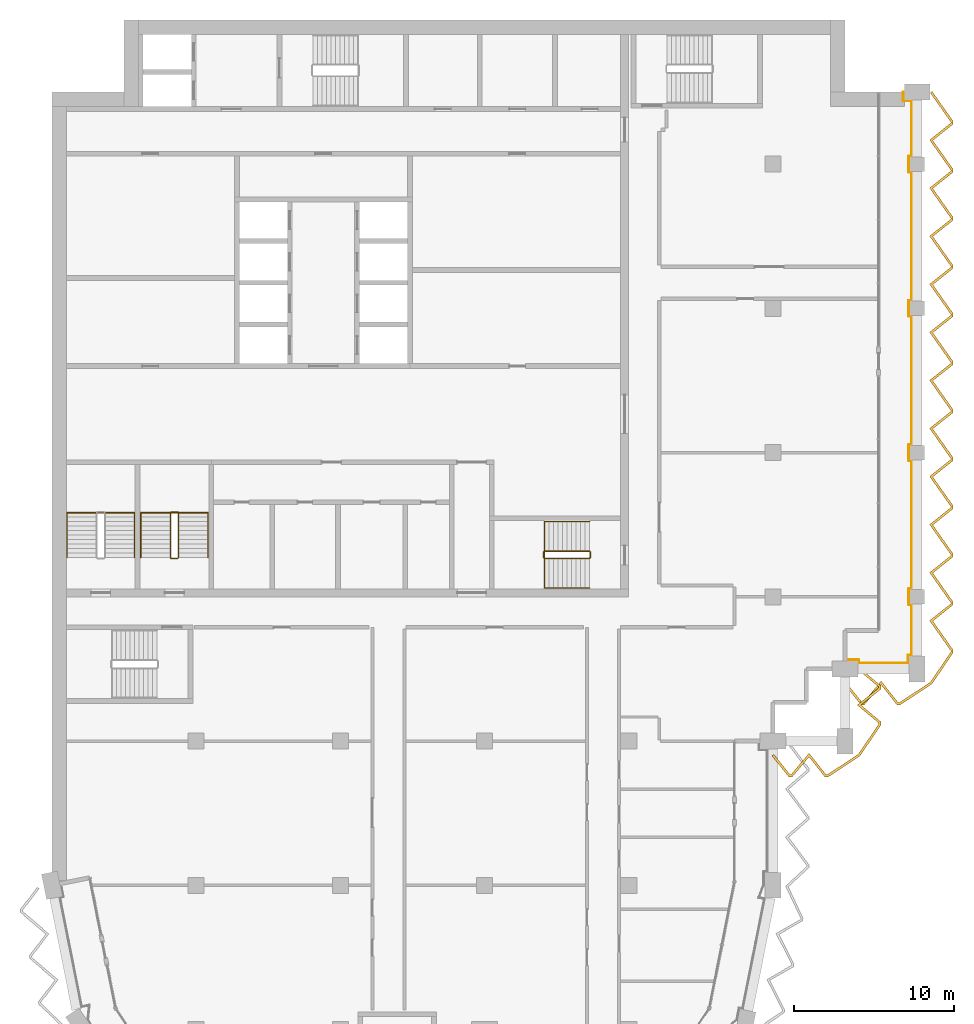
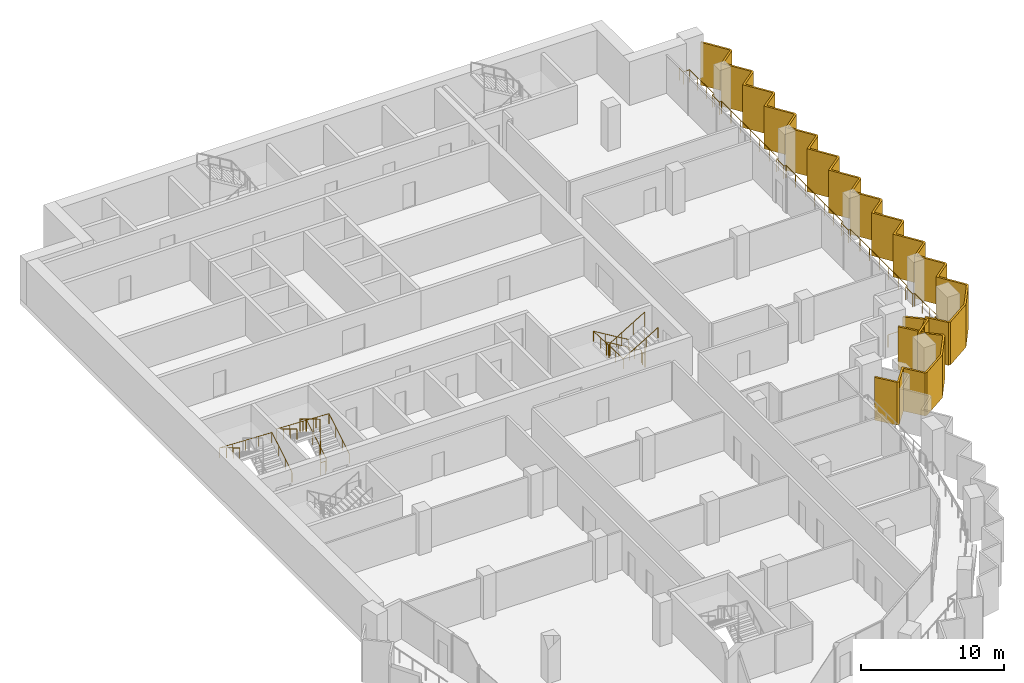
# One storey, part 15 of 16: 6 railings, 2 shading devices.
"""IFC4 building model written with IfcOpenShell, lengths in metres."""

from ifc_helpers import new_model, si_unit, direction, frame, origin, origin_2d, place, context, subcontext, project, spatial, polyline, circle, outline, extrude, material, layer, layer_set, type_object, element, save


model = new_model("IFC4")

# Units and contexts
model_context = context("Model", 3, precision=1e-05, world=origin(), true_north=direction((0.0, 1.0)))
body_context = subcontext(model_context, "Body", "Model", "MODEL_VIEW")
ifc_project = project(units=[si_unit("LENGTHUNIT", "METRE"), si_unit("AREAUNIT", "SQUARE_METRE"), si_unit("VOLUMEUNIT", "CUBIC_METRE"), si_unit("PLANEANGLEUNIT", "RADIAN"), si_unit("MASSUNIT", "GRAM", prefix="KILO")], contexts=[model_context])

# Site, building, storey
site_placement = place(None, origin())
site = spatial("IfcSite", under=ifc_project, at=site_placement, CompositionType="ELEMENT")
building_placement = place(site_placement, origin())
building = spatial("IfcBuilding", under=site, at=building_placement, Name="Hunhe Ridgeline Campus", CompositionType="ELEMENT")
storey_placement = place(building_placement, frame((0.0, 0.0, 257.699951171875)))
storey = spatial("IfcBuildingStorey", under=building, at=storey_placement, Name="L66", CompositionType="ELEMENT", Elevation=257.699951171875)

# Railing
ifc_material_1 = material(Name="Steel Q355", Category="steel")
railing_type_1 = type_object("IfcRailingType", Name="Loggia guard 1100 Steel Q355", PredefinedType="GUARDRAIL", material=ifc_material_1)
railing_1_placement = place(storey_placement, frame((49.5, 59.070068359375, 0.0)))
element("IfcRailing", 1, at=railing_1_placement, inside=storey, type_object=railing_type_1, Name="Loggia guard 2", PredefinedType="GUARDRAIL", context=body_context, shape_type="SweptSolid", body=[
    extrude(circle(Radius=0.02392578125, at=origin_2d()), frame((0.0, 0.0, 1.076171875), z_axis=(1.0, 0.0, 0.0), x_axis=(0.0, 1.0, 0.0)), (0.0, 0.0, 1.0), 0.85009765625),
    extrude(circle(Radius=0.02392578125, at=origin_2d()), frame((0.85009765625, 0.0, 1.076171875), z_axis=(0.0, -1.0, 0.0), x_axis=(1.0, 0.0, 0.0)), (0.0, 0.0, 1.0), 0.219970703125),
    extrude(circle(Radius=0.02392578125, at=origin_2d()), frame((0.85009765625, -0.219970703125, 1.076171875), z_axis=(1.0, 0.0, 0.0), x_axis=(0.0, 1.0, 0.0)), (0.0, 0.0, 1.0), 3.099853515625),
    extrude(circle(Radius=0.02392578125, at=origin_2d()), frame((3.949951171875, -0.219970703125, 1.076171875), z_axis=(0.0, 1.0, 0.0), x_axis=(-1.0, 0.0, 0.0)), (0.0, 0.0, 1.0), 0.52001953125),
    extrude(circle(Radius=0.02392578125, at=origin_2d()), frame((3.949951171875, 0.300048828125, 1.076171875), z_axis=(-0.066572895244, -0.99778156408, 0.0), x_axis=(0.99778156408, -0.066572895244, 0.0)), (0.0, 0.0, 1.0), 0.30078125),
    extrude(circle(Radius=0.02392578125, at=origin_2d()), frame((3.929931640625, 0.0, 1.076171875), z_axis=(0.0, 1.0, 0.0), x_axis=(-1.0, 0.0, 0.0)), (0.0, 0.0, 1.0), 0.280029296875),
    extrude(circle(Radius=0.02392578125, at=origin_2d()), frame((3.929931640625, 0.280029296875, 1.076171875), z_axis=(1.0, 0.0, 0.0), x_axis=(0.0, 1.0, 0.0)), (0.0, 0.0, 1.0), 0.219970703125),
    extrude(circle(Radius=0.02392578125, at=origin_2d()), frame((4.14990234375, 0.280029296875, 1.076171875), z_axis=(0.0, 1.0, 0.0), x_axis=(-1.0, 0.0, 0.0)), (0.0, 0.0, 1.0), 3.14990234375),
    extrude(circle(Radius=0.02392578125, at=origin_2d()), frame((4.14990234375, 3.429931640625, 1.076171875), z_axis=(-1.0, 0.0, 0.0), x_axis=(0.0, -1.0, 0.0)), (0.0, 0.0, 1.0), 0.169921875),
    extrude(circle(Radius=0.02392578125, at=origin_2d()), frame((3.97998046875, 3.429931640625, 1.076171875), z_axis=(0.0, 1.0, 0.0), x_axis=(-1.0, 0.0, 0.0)), (0.0, 0.0, 1.0), 1.0),
    extrude(circle(Radius=0.02392578125, at=origin_2d()), frame((3.97998046875, 4.429931640625, 1.076171875), z_axis=(1.0, 0.0, 0.0), x_axis=(0.0, 1.0, 0.0)), (0.0, 0.0, 1.0), 0.169921875),
    extrude(circle(Radius=0.02392578125, at=origin_2d()), frame((4.14990234375, 4.429931640625, 1.076171875), z_axis=(0.0, 1.0, 0.0), x_axis=(-1.0, 0.0, 0.0)), (0.0, 0.0, 1.0), 8.0),
    extrude(circle(Radius=0.02392578125, at=origin_2d()), frame((4.14990234375, 12.429931640625, 1.076171875), z_axis=(-1.0, 0.0, 0.0), x_axis=(0.0, -1.0, 0.0)), (0.0, 0.0, 1.0), 0.169921875),
    extrude(circle(Radius=0.02392578125, at=origin_2d()), frame((3.97998046875, 12.429931640625, 1.076171875), z_axis=(0.0, 1.0, 0.0), x_axis=(-1.0, 0.0, 0.0)), (0.0, 0.0, 1.0), 1.0),
    extrude(circle(Radius=0.02392578125, at=origin_2d()), frame((3.97998046875, 13.429931640625, 1.076171875), z_axis=(1.0, 0.0, 0.0), x_axis=(0.0, 1.0, 0.0)), (0.0, 0.0, 1.0), 0.169921875),
    extrude(circle(Radius=0.02392578125, at=origin_2d()), frame((4.14990234375, 13.429931640625, 1.076171875), z_axis=(0.0, 1.0, 0.0), x_axis=(-1.0, 0.0, 0.0)), (0.0, 0.0, 1.0), 8.0),
    extrude(circle(Radius=0.02392578125, at=origin_2d()), frame((4.14990234375, 21.429931640625, 1.076171875), z_axis=(-1.0, 0.0, 0.0), x_axis=(0.0, -1.0, 0.0)), (0.0, 0.0, 1.0), 0.169921875),
    extrude(circle(Radius=0.02392578125, at=origin_2d()), frame((3.97998046875, 21.429931640625, 1.076171875), z_axis=(0.0, 1.0, 0.0), x_axis=(-1.0, 0.0, 0.0)), (0.0, 0.0, 1.0), 1.0),
    extrude(circle(Radius=0.02392578125, at=origin_2d()), frame((3.97998046875, 22.429931640625, 1.076171875), z_axis=(1.0, 0.0, 0.0), x_axis=(0.0, 1.0, 0.0)), (0.0, 0.0, 1.0), 0.169921875),
    extrude(circle(Radius=0.02392578125, at=origin_2d()), frame((4.14990234375, 22.429931640625, 1.076171875), z_axis=(0.0, 1.0, 0.0), x_axis=(-1.0, 0.0, 0.0)), (0.0, 0.0, 1.0), 8.0),
    extrude(circle(Radius=0.02392578125, at=origin_2d()), frame((4.14990234375, 30.429931640625, 1.076171875), z_axis=(-1.0, 0.0, 0.0), x_axis=(0.0, -1.0, 0.0)), (0.0, 0.0, 1.0), 0.169921875),
    extrude(circle(Radius=0.02392578125, at=origin_2d()), frame((3.97998046875, 30.429931640625, 1.076171875), z_axis=(0.0, 1.0, 0.0), x_axis=(-1.0, 0.0, 0.0)), (0.0, 0.0, 1.0), 1.0),
    extrude(circle(Radius=0.02392578125, at=origin_2d()), frame((3.97998046875, 31.429931640625, 1.076171875), z_axis=(1.0, 0.0, 0.0), x_axis=(0.0, 1.0, 0.0)), (0.0, 0.0, 1.0), 0.169921875),
    extrude(circle(Radius=0.02392578125, at=origin_2d()), frame((4.14990234375, 31.429931640625, 1.076171875), z_axis=(0.0, 1.0, 0.0), x_axis=(-1.0, 0.0, 0.0)), (0.0, 0.0, 1.0), 3.449951171875),
    extrude(circle(Radius=0.02392578125, at=origin_2d()), frame((4.14990234375, 34.8798828125, 1.076171875), z_axis=(-1.0, 0.0, 0.0), x_axis=(0.0, -1.0, 0.0)), (0.0, 0.0, 1.0), 0.52001953125),
    extrude(circle(Radius=0.02392578125, at=origin_2d()), frame((3.6298828125, 34.8798828125, 1.076171875), z_axis=(0.0, 1.0, 0.0), x_axis=(-1.0, 0.0, 0.0)), (0.0, 0.0, 1.0), 0.550048828125),
    extrude(circle(Radius=0.02099609375, at=origin_2d()), origin(), (0.0, 0.0, 1.0), 1.052001953125),
    extrude(circle(Radius=0.02099609375, at=origin_2d()), frame((0.85009765625, 0.0, 0.0)), (0.0, 0.0, 1.0), 1.052001953125),
    extrude(circle(Radius=0.02099609375, at=origin_2d()), frame((0.85009765625, -0.219970703125, 0.0)), (0.0, 0.0, 1.0), 1.052001953125),
    extrude(circle(Radius=0.02099609375, at=origin_2d()), frame((1.88330078125, -0.219970703125, 0.0)), (0.0, 0.0, 1.0), 1.052001953125),
    extrude(circle(Radius=0.02099609375, at=origin_2d()), frame((2.916748046875, -0.219970703125, 0.0)), (0.0, 0.0, 1.0), 1.052001953125),
    extrude(circle(Radius=0.02099609375, at=origin_2d()), frame((3.949951171875, -0.219970703125, 0.0)), (0.0, 0.0, 1.0), 1.052001953125),
    extrude(circle(Radius=0.02099609375, at=origin_2d()), frame((3.949951171875, 0.300048828125, 0.0)), (0.0, 0.0, 1.0), 1.052001953125),
    extrude(circle(Radius=0.02099609375, at=origin_2d()), frame((3.929931640625, 0.0, 0.0)), (0.0, 0.0, 1.0), 1.052001953125),
    extrude(circle(Radius=0.02099609375, at=origin_2d()), frame((3.929931640625, 0.280029296875, 0.0)), (0.0, 0.0, 1.0), 1.052001953125),
    extrude(circle(Radius=0.02099609375, at=origin_2d()), frame((4.14990234375, 0.280029296875, 0.0)), (0.0, 0.0, 1.0), 1.052001953125),
    extrude(circle(Radius=0.02099609375, at=origin_2d()), frame((4.14990234375, 1.330078125, 0.0)), (0.0, 0.0, 1.0), 1.052001953125),
    extrude(circle(Radius=0.02099609375, at=origin_2d()), frame((4.14990234375, 2.3798828125, 0.0)), (0.0, 0.0, 1.0), 1.052001953125),
    extrude(circle(Radius=0.02099609375, at=origin_2d()), frame((4.14990234375, 3.429931640625, 0.0)), (0.0, 0.0, 1.0), 1.052001953125),
    extrude(circle(Radius=0.02099609375, at=origin_2d()), frame((3.97998046875, 3.429931640625, 0.0)), (0.0, 0.0, 1.0), 1.052001953125),
    extrude(circle(Radius=0.02099609375, at=origin_2d()), frame((3.97998046875, 4.429931640625, 0.0)), (0.0, 0.0, 1.0), 1.052001953125),
    extrude(circle(Radius=0.02099609375, at=origin_2d()), frame((4.14990234375, 4.429931640625, 0.0)), (0.0, 0.0, 1.0), 1.052001953125),
    extrude(circle(Radius=0.02099609375, at=origin_2d()), frame((4.14990234375, 5.76318359375, 0.0)), (0.0, 0.0, 1.0), 1.052001953125),
    extrude(circle(Radius=0.02099609375, at=origin_2d()), frame((4.14990234375, 7.0966796875, 0.0)), (0.0, 0.0, 1.0), 1.052001953125),
    extrude(circle(Radius=0.02099609375, at=origin_2d()), frame((4.14990234375, 8.429931640625, 0.0)), (0.0, 0.0, 1.0), 1.052001953125),
    extrude(circle(Radius=0.02099609375, at=origin_2d()), frame((4.14990234375, 9.76318359375, 0.0)), (0.0, 0.0, 1.0), 1.052001953125),
    extrude(circle(Radius=0.02099609375, at=origin_2d()), frame((4.14990234375, 11.0966796875, 0.0)), (0.0, 0.0, 1.0), 1.052001953125),
    extrude(circle(Radius=0.02099609375, at=origin_2d()), frame((4.14990234375, 12.429931640625, 0.0)), (0.0, 0.0, 1.0), 1.052001953125),
    extrude(circle(Radius=0.02099609375, at=origin_2d()), frame((3.97998046875, 12.429931640625, 0.0)), (0.0, 0.0, 1.0), 1.052001953125),
    extrude(circle(Radius=0.02099609375, at=origin_2d()), frame((3.97998046875, 13.429931640625, 0.0)), (0.0, 0.0, 1.0), 1.052001953125),
    extrude(circle(Radius=0.02099609375, at=origin_2d()), frame((4.14990234375, 13.429931640625, 0.0)), (0.0, 0.0, 1.0), 1.052001953125),
    extrude(circle(Radius=0.02099609375, at=origin_2d()), frame((4.14990234375, 14.76318359375, 0.0)), (0.0, 0.0, 1.0), 1.052001953125),
    extrude(circle(Radius=0.02099609375, at=origin_2d()), frame((4.14990234375, 16.0966796875, 0.0)), (0.0, 0.0, 1.0), 1.052001953125),
    extrude(circle(Radius=0.02099609375, at=origin_2d()), frame((4.14990234375, 17.429931640625, 0.0)), (0.0, 0.0, 1.0), 1.052001953125),
    extrude(circle(Radius=0.02099609375, at=origin_2d()), frame((4.14990234375, 18.76318359375, 0.0)), (0.0, 0.0, 1.0), 1.052001953125),
    extrude(circle(Radius=0.02099609375, at=origin_2d()), frame((4.14990234375, 20.0966796875, 0.0)), (0.0, 0.0, 1.0), 1.052001953125),
    extrude(circle(Radius=0.02099609375, at=origin_2d()), frame((4.14990234375, 21.429931640625, 0.0)), (0.0, 0.0, 1.0), 1.052001953125),
    extrude(circle(Radius=0.02099609375, at=origin_2d()), frame((3.97998046875, 21.429931640625, 0.0)), (0.0, 0.0, 1.0), 1.052001953125),
    extrude(circle(Radius=0.02099609375, at=origin_2d()), frame((3.97998046875, 22.429931640625, 0.0)), (0.0, 0.0, 1.0), 1.052001953125),
    extrude(circle(Radius=0.02099609375, at=origin_2d()), frame((4.14990234375, 22.429931640625, 0.0)), (0.0, 0.0, 1.0), 1.052001953125),
    extrude(circle(Radius=0.02099609375, at=origin_2d()), frame((4.14990234375, 23.76318359375, 0.0)), (0.0, 0.0, 1.0), 1.052001953125),
    extrude(circle(Radius=0.02099609375, at=origin_2d()), frame((4.14990234375, 25.0966796875, 0.0)), (0.0, 0.0, 1.0), 1.052001953125),
    extrude(circle(Radius=0.02099609375, at=origin_2d()), frame((4.14990234375, 26.429931640625, 0.0)), (0.0, 0.0, 1.0), 1.052001953125),
    extrude(circle(Radius=0.02099609375, at=origin_2d()), frame((4.14990234375, 27.76318359375, 0.0)), (0.0, 0.0, 1.0), 1.052001953125),
    extrude(circle(Radius=0.02099609375, at=origin_2d()), frame((4.14990234375, 29.0966796875, 0.0)), (0.0, 0.0, 1.0), 1.052001953125),
    extrude(circle(Radius=0.02099609375, at=origin_2d()), frame((4.14990234375, 30.429931640625, 0.0)), (0.0, 0.0, 1.0), 1.052001953125),
    extrude(circle(Radius=0.02099609375, at=origin_2d()), frame((3.97998046875, 30.429931640625, 0.0)), (0.0, 0.0, 1.0), 1.052001953125),
    extrude(circle(Radius=0.02099609375, at=origin_2d()), frame((3.97998046875, 31.429931640625, 0.0)), (0.0, 0.0, 1.0), 1.052001953125),
    extrude(circle(Radius=0.02099609375, at=origin_2d()), frame((4.14990234375, 31.429931640625, 0.0)), (0.0, 0.0, 1.0), 1.052001953125),
    extrude(circle(Radius=0.02099609375, at=origin_2d()), frame((4.14990234375, 32.579833984375, 0.0)), (0.0, 0.0, 1.0), 1.052001953125),
    extrude(circle(Radius=0.02099609375, at=origin_2d()), frame((4.14990234375, 33.72998046875, 0.0)), (0.0, 0.0, 1.0), 1.052001953125),
    extrude(circle(Radius=0.02099609375, at=origin_2d()), frame((4.14990234375, 34.8798828125, 0.0)), (0.0, 0.0, 1.0), 1.052001953125),
    extrude(circle(Radius=0.02099609375, at=origin_2d()), frame((3.6298828125, 34.8798828125, 0.0)), (0.0, 0.0, 1.0), 1.052001953125),
    extrude(circle(Radius=0.02099609375, at=origin_2d()), frame((3.6298828125, 35.429931640625, 0.0)), (0.0, 0.0, 1.0), 1.052001953125),
])

# Shading devices
ifc_material_2 = material(Name="Concrete C50", Category="concrete")
ifc_layer = layer(ifc_material_2, 0.14990234375)
ifc_layer_set = layer_set([ifc_layer], Name="Sawtooth concrete fin 150 Concrete C50")
shading_device_type = type_object("IfcShadingDeviceType", Name="Sawtooth concrete fin 150 Concrete C50", PredefinedType="USERDEFINED", material=ifc_layer_set)
shading_device_1_placement = place(storey_placement, frame((0.0, 0.0, -0.949951171875)))
element("IfcShadingDevice", 2, at=shading_device_1_placement, inside=storey, type_object=shading_device_type, Name="Concrete fin screen 2", ObjectType="FIN", PredefinedType="USERDEFINED", context=body_context, shape_type="SweptSolid", body=[
    extrude(outline(polyline([(45.05859375, 53.171875), (44.94140625, 53.078125), (46.000732421875, 51.75), (46.19189453125, 51.75), (47.24853515625, 53.006591796875), (48.250732421875, 51.75), (48.429443359375, 51.75), (50.4287109375, 53.070556640625), (51.75, 55.013671875), (51.75, 55.19189453125), (50.493408203125, 56.24853515625), (51.75, 57.250732421875), (51.75, 57.44189453125), (50.42333984375, 58.557373046875), (50.32666015625, 58.442626953125), (51.60009765625, 57.371826171875), (51.60009765625, 57.322998046875), (50.256591796875, 56.25146484375), (51.60009765625, 55.121826171875), (51.60009765625, 55.059814453125), (50.3212890625, 53.179443359375), (48.38427734375, 51.89990234375), (48.322998046875, 51.89990234375), (47.25146484375, 53.243408203125), (46.121826171875, 51.89990234375), (46.072998046875, 51.89990234375), (45.05859375, 53.171875)])), origin(), (0.0, 0.0, 1.0), 3.64990234375),
])
shading_device_2_placement = place(storey_placement, frame((0.0, 0.0, -0.949951171875)))
element("IfcShadingDevice", 3, at=shading_device_2_placement, inside=storey, type_object=shading_device_type, Name="Concrete fin screen 3", ObjectType="FIN", PredefinedType="USERDEFINED", context=body_context, shape_type="SweptSolid", body=[
    extrude(outline(polyline([(49.55859375, 57.671875), (49.44140625, 57.578125), (50.500732421875, 56.25), (50.69189453125, 56.25), (51.74853515625, 57.506591796875), (52.750732421875, 56.25), (52.929443359375, 56.25), (54.9287109375, 57.570556640625), (56.25, 59.513671875), (56.25, 59.6806640625), (54.97705078125, 61.4853515625), (56.25, 62.500732421875), (56.25, 62.6806640625), (54.97705078125, 64.4853515625), (56.25, 65.500732421875), (56.25, 65.6806640625), (54.97705078125, 67.4853515625), (56.25, 68.500732421875), (56.25, 68.6806640625), (54.97705078125, 70.4853515625), (56.25, 71.500732421875), (56.25, 71.6806640625), (54.97705078125, 73.4853515625), (56.25, 74.500732421875), (56.25, 74.6806640625), (54.97705078125, 76.4853515625), (56.25, 77.500732421875), (56.25, 77.6806640625), (54.97705078125, 79.4853515625), (56.25, 80.500732421875), (56.25, 80.6806640625), (54.97705078125, 82.4853515625), (56.25, 83.500732421875), (56.25, 83.6806640625), (54.97705078125, 85.4853515625), (56.25, 86.500732421875), (56.25, 86.6806640625), (54.97705078125, 88.4853515625), (56.25, 89.500732421875), (56.25, 89.6806640625), (54.97705078125, 91.4853515625), (56.25, 92.500732421875), (56.25, 92.6806640625), (54.936279296875, 94.543212890625), (54.813720703125, 94.456787109375), (56.10009765625, 92.633056640625), (56.10009765625, 92.572998046875), (54.77294921875, 91.5146484375), (56.10009765625, 89.633056640625), (56.10009765625, 89.572998046875), (54.77294921875, 88.5146484375), (56.10009765625, 86.633056640625), (56.10009765625, 86.572998046875), (54.77294921875, 85.5146484375), (56.10009765625, 83.633056640625), (56.10009765625, 83.572998046875), (54.77294921875, 82.5146484375), (56.10009765625, 80.633056640625), (56.10009765625, 80.572998046875), (54.77294921875, 79.5146484375), (56.10009765625, 77.633056640625), (56.10009765625, 77.572998046875), (54.77294921875, 76.5146484375), (56.10009765625, 74.633056640625), (56.10009765625, 74.572998046875), (54.77294921875, 73.5146484375), (56.10009765625, 71.633056640625), (56.10009765625, 71.572998046875), (54.77294921875, 70.5146484375), (56.10009765625, 68.633056640625), (56.10009765625, 68.572998046875), (54.77294921875, 67.5146484375), (56.10009765625, 65.633056640625), (56.10009765625, 65.572998046875), (54.77294921875, 64.5146484375), (56.10009765625, 62.633056640625), (56.10009765625, 62.572998046875), (54.77294921875, 61.5146484375), (56.10009765625, 59.633056640625), (56.10009765625, 59.559814453125), (54.8212890625, 57.679443359375), (52.88427734375, 56.39990234375), (52.822998046875, 56.39990234375), (51.75146484375, 57.743408203125), (50.621826171875, 56.39990234375), (50.572998046875, 56.39990234375), (49.55859375, 57.671875)])), origin(), (0.0, 0.0, 1.0), 3.64990234375),
])

# Railings
ifc_material_3 = material(Name="Stainless steel balustrade", Category="steel")
railing_type_2 = type_object("IfcRailingType", Name="Stair guard 1100 stainless", PredefinedType="GUARDRAIL", material=ifc_material_3)
railing_2_placement = place(storey_placement, frame((33.550048828125, 65.85009765625, 0.168212890625)))
element("IfcRailing", 4, at=railing_2_placement, inside=storey, type_object=railing_type_2, Name="L66 stair S2 guard", PredefinedType="GUARDRAIL", context=body_context, shape_type="SweptSolid", body=[
    extrude(circle(Radius=0.02392578125, at=origin_2d()), frame((0.0, 0.0, 1.076171875), z_axis=(-0.857242210791, 0.0, 0.514913383045), x_axis=(0.0, -1.0, 0.0)), (0.0, 0.0, 1.0), 3.266357421875),
    extrude(circle(Radius=0.02392578125, at=origin_2d()), frame((-2.800048828125, 0.0, 2.7578125), z_axis=(-0.707106781187, -0.707106781187, 0.0), x_axis=(0.707106781187, -0.707106781187, 0.0)), (0.0, 0.0, 1.0), 0.07080078125),
    extrude(circle(Radius=0.02392578125, at=origin_2d()), frame((-2.85009765625, -0.050048828125, 2.7578125), z_axis=(0.0, -1.0, 0.0), x_axis=(1.0, 0.0, 0.0)), (0.0, 0.0, 1.0), 0.35009765625),
    extrude(circle(Radius=0.02392578125, at=origin_2d()), frame((-2.85009765625, -0.400146484375, 2.7578125), z_axis=(0.274243871929, -0.274243871929, 0.92172696468), x_axis=(0.707106781187, 0.707106781187, 0.0)), (0.0, 0.0, 1.0), 0.1826171875),
    extrude(circle(Radius=0.02392578125, at=origin_2d()), frame((-2.800048828125, -0.4501953125, 2.92626953125), z_axis=(0.857275202839, 0.0, 0.514858452973), x_axis=(0.0, 1.0, 0.0)), (0.0, 0.0, 1.0), 3.26611328125),
    extrude(circle(Radius=0.02392578125, at=origin_2d()), frame((0.0, -0.4501953125, 4.60791015625), z_axis=(0.013524414389, 0.013524414389, -0.999817073484), x_axis=(-0.707106781187, 0.707106781187, 0.0)), (0.0, 0.0, 1.0), 3.70068359375),
    extrude(circle(Radius=0.02392578125, at=origin_2d()), frame((0.050048828125, -0.400146484375, 0.90771484375), z_axis=(0.0, 1.0, 0.0), x_axis=(-1.0, 0.0, 0.0)), (0.0, 0.0, 1.0), 0.35009765625),
    extrude(circle(Radius=0.02099609375, at=origin_2d()), origin(), (0.0, 0.0, 1.0), 1.052001953125),
    extrude(circle(Radius=0.02099609375, at=origin_2d()), frame((-0.933349609375, 0.0, 0.560546875)), (0.0, 0.0, 1.0), 1.052001953125),
    extrude(circle(Radius=0.02099609375, at=origin_2d()), frame((-1.86669921875, 0.0, 1.121337890625)), (0.0, 0.0, 1.0), 1.052001953125),
    extrude(circle(Radius=0.02099609375, at=origin_2d()), frame((-2.800048828125, 0.0, 1.681884765625)), (0.0, 0.0, 1.0), 1.052001953125),
    extrude(circle(Radius=0.02099609375, at=origin_2d()), frame((-2.85009765625, -0.050048828125, 1.681884765625)), (0.0, 0.0, 1.0), 1.052001953125),
    extrude(circle(Radius=0.02099609375, at=origin_2d()), frame((-2.85009765625, -0.400146484375, 1.681884765625)), (0.0, 0.0, 1.0), 1.052001953125),
    extrude(circle(Radius=0.02099609375, at=origin_2d()), frame((-2.800048828125, -0.4501953125, 1.85009765625)), (0.0, 0.0, 1.0), 1.052001953125),
    extrude(circle(Radius=0.02099609375, at=origin_2d()), frame((-1.86669921875, -0.4501953125, 2.41064453125)), (0.0, 0.0, 1.0), 1.052001953125),
    extrude(circle(Radius=0.02099609375, at=origin_2d()), frame((-0.933349609375, -0.4501953125, 2.97119140625)), (0.0, 0.0, 1.0), 1.052001953125),
    extrude(circle(Radius=0.02099609375, at=origin_2d()), frame((0.0, -0.4501953125, 3.53173828125)), (0.0, 0.0, 1.0), 1.052001953125),
    extrude(circle(Radius=0.02099609375, at=origin_2d()), frame((0.012451171875, -0.437744140625, 2.606689453125)), (0.0, 0.0, 1.0), 1.052001953125),
    extrude(circle(Radius=0.02099609375, at=origin_2d()), frame((0.02490234375, -0.42529296875, 1.681640625)), (0.0, 0.0, 1.0), 1.052001953125),
    extrude(circle(Radius=0.02099609375, at=origin_2d()), frame((0.03759765625, -0.41259765625, 0.7568359375)), (0.0, 0.0, 1.0), 1.052001953125),
    extrude(circle(Radius=0.02099609375, at=origin_2d()), frame((0.050048828125, -0.400146484375, -0.168212890625)), (0.0, 0.0, 1.0), 1.052001953125),
    extrude(circle(Radius=0.02099609375, at=origin_2d()), frame((0.050048828125, -0.050048828125, -0.168212890625)), (0.0, 0.0, 1.0), 1.052001953125),
])
railing_3_placement = place(storey_placement, frame((7.89990234375, 65.449951171875, 0.168212890625)))
element("IfcRailing", 5, at=railing_3_placement, inside=storey, type_object=railing_type_2, Name="L66 stair S4 guard", PredefinedType="GUARDRAIL", context=body_context, shape_type="SweptSolid", body=[
    extrude(circle(Radius=0.02392578125, at=origin_2d()), frame((0.0, 0.0, 1.076171875), z_axis=(0.0, 0.857242210791, 0.514913383045), x_axis=(-1.0, 0.0, 0.0)), (0.0, 0.0, 1.0), 3.266357421875),
    extrude(circle(Radius=0.02392578125, at=origin_2d()), frame((0.0, 2.800048828125, 2.7578125), z_axis=(-0.705375805398, 0.708833529934, 0.0), x_axis=(-0.708833529934, -0.705375805398, 0.0)), (0.0, 0.0, 1.0), 0.070556640625),
    extrude(circle(Radius=0.02392578125, at=origin_2d()), frame((-0.0498046875, 2.85009765625, 2.7578125), z_axis=(-1.0, 0.0, 0.0), x_axis=(0.0, -1.0, 0.0)), (0.0, 0.0, 1.0), 0.400146484375),
    extrude(circle(Radius=0.02392578125, at=origin_2d()), frame((-0.449951171875, 2.85009765625, 2.7578125), z_axis=(-0.274243871929, -0.274243871929, 0.92172696468), x_axis=(0.707106781187, -0.707106781187, 0.0)), (0.0, 0.0, 1.0), 0.1826171875),
    extrude(circle(Radius=0.02392578125, at=origin_2d()), frame((-0.5, 2.800048828125, 2.92626953125), z_axis=(0.0, -0.857275202839, 0.514858452973), x_axis=(1.0, 0.0, 0.0)), (0.0, 0.0, 1.0), 3.26611328125),
    extrude(circle(Radius=0.02392578125, at=origin_2d()), frame((-0.5, 0.0, 4.60791015625), z_axis=(0.013524414389, -0.013524414389, -0.999817073484), x_axis=(0.707106781187, 0.707106781187, 0.0)), (0.0, 0.0, 1.0), 3.70068359375),
    extrude(circle(Radius=0.02392578125, at=origin_2d()), frame((-0.449951171875, -0.050048828125, 0.90771484375), z_axis=(1.0, 0.0, 0.0), x_axis=(0.0, 1.0, 0.0)), (0.0, 0.0, 1.0), 0.400146484375),
    extrude(circle(Radius=0.02099609375, at=origin_2d()), origin(), (0.0, 0.0, 1.0), 1.052001953125),
    extrude(circle(Radius=0.02099609375, at=origin_2d()), frame((0.0, 0.933349609375, 0.560546875)), (0.0, 0.0, 1.0), 1.052001953125),
    extrude(circle(Radius=0.02099609375, at=origin_2d()), frame((0.0, 1.86669921875, 1.121337890625)), (0.0, 0.0, 1.0), 1.052001953125),
    extrude(circle(Radius=0.02099609375, at=origin_2d()), frame((0.0, 2.800048828125, 1.681884765625)), (0.0, 0.0, 1.0), 1.052001953125),
    extrude(circle(Radius=0.02099609375, at=origin_2d()), frame((-0.0498046875, 2.85009765625, 1.681884765625)), (0.0, 0.0, 1.0), 1.052001953125),
    extrude(circle(Radius=0.02099609375, at=origin_2d()), frame((-0.449951171875, 2.85009765625, 1.681884765625)), (0.0, 0.0, 1.0), 1.052001953125),
    extrude(circle(Radius=0.02099609375, at=origin_2d()), frame((-0.5, 2.800048828125, 1.85009765625)), (0.0, 0.0, 1.0), 1.052001953125),
    extrude(circle(Radius=0.02099609375, at=origin_2d()), frame((-0.5, 1.86669921875, 2.41064453125)), (0.0, 0.0, 1.0), 1.052001953125),
    extrude(circle(Radius=0.02099609375, at=origin_2d()), frame((-0.5, 0.933349609375, 2.97119140625)), (0.0, 0.0, 1.0), 1.052001953125),
    extrude(circle(Radius=0.02099609375, at=origin_2d()), frame((-0.5, 0.0, 3.53173828125)), (0.0, 0.0, 1.0), 1.052001953125),
    extrude(circle(Radius=0.02099609375, at=origin_2d()), frame((-0.487548828125, -0.012451171875, 2.606689453125)), (0.0, 0.0, 1.0), 1.052001953125),
    extrude(circle(Radius=0.02099609375, at=origin_2d()), frame((-0.47509765625, -0.02490234375, 1.681640625)), (0.0, 0.0, 1.0), 1.052001953125),
    extrude(circle(Radius=0.02099609375, at=origin_2d()), frame((-0.46240234375, -0.03759765625, 0.7568359375)), (0.0, 0.0, 1.0), 1.052001953125),
    extrude(circle(Radius=0.02099609375, at=origin_2d()), frame((-0.449951171875, -0.050048828125, -0.168212890625)), (0.0, 0.0, 1.0), 1.052001953125),
    extrude(circle(Radius=0.02099609375, at=origin_2d()), frame((-0.0498046875, -0.050048828125, -0.168212890625)), (0.0, 0.0, 1.0), 1.052001953125),
])
ifc_material_4 = material(Name="Stainless steel handrail", Category="steel")
railing_type_3 = type_object("IfcRailingType", Name="Stair handrail 900 stainless", PredefinedType="HANDRAIL", material=ifc_material_4)
railing_4_placement = place(storey_placement, frame((33.550048828125, 67.699951171875, 0.168212890625)))
element("IfcRailing", 6, at=railing_4_placement, inside=storey, type_object=railing_type_3, Name="L66 stair S2 handrail", PredefinedType="HANDRAIL", context=body_context, shape_type="SweptSolid", body=[
    extrude(circle(Radius=0.02392578125, at=origin_2d()), frame((0.0, 0.0, 0.8759765625), z_axis=(-0.857242210791, 0.0, 0.514913383045), x_axis=(0.0, -1.0, 0.0)), (0.0, 0.0, 1.0), 3.266357421875),
    extrude(circle(Radius=0.02392578125, at=origin_2d()), frame((-2.800048828125, 0.0, 2.5576171875), z_axis=(0.0, -0.99917950104, 0.040500922239), x_axis=(1.0, 0.0, 0.0)), (0.0, 0.0, 1.0), 4.1533203125),
    extrude(circle(Radius=0.02392578125, at=origin_2d()), frame((-2.800048828125, -4.14990234375, 2.72607421875), z_axis=(0.857275202839, 0.0, 0.514858452973), x_axis=(0.0, 1.0, 0.0)), (0.0, 0.0, 1.0), 3.26611328125),
    extrude(circle(Radius=0.02099609375, at=origin_2d()), origin(), (0.0, 0.0, 1.0), 0.851806640625),
    extrude(circle(Radius=0.02099609375, at=origin_2d()), frame((-0.933349609375, 0.0, 0.560546875)), (0.0, 0.0, 1.0), 0.851806640625),
    extrude(circle(Radius=0.02099609375, at=origin_2d()), frame((-1.86669921875, 0.0, 1.121337890625)), (0.0, 0.0, 1.0), 0.851806640625),
    extrude(circle(Radius=0.02099609375, at=origin_2d()), frame((-2.800048828125, 0.0, 1.681884765625)), (0.0, 0.0, 1.0), 0.851806640625),
    extrude(circle(Radius=0.02099609375, at=origin_2d()), frame((-2.800048828125, -1.03759765625, 1.723876953125)), (0.0, 0.0, 1.0), 0.851806640625),
    extrude(circle(Radius=0.02099609375, at=origin_2d()), frame((-2.800048828125, -2.074951171875, 1.76611328125)), (0.0, 0.0, 1.0), 0.851806640625),
    extrude(circle(Radius=0.02099609375, at=origin_2d()), frame((-2.800048828125, -3.1123046875, 1.80810546875)), (0.0, 0.0, 1.0), 0.851806640625),
    extrude(circle(Radius=0.02099609375, at=origin_2d()), frame((-2.800048828125, -4.14990234375, 1.85009765625)), (0.0, 0.0, 1.0), 0.851806640625),
    extrude(circle(Radius=0.02099609375, at=origin_2d()), frame((-1.86669921875, -4.14990234375, 2.41064453125)), (0.0, 0.0, 1.0), 0.851806640625),
    extrude(circle(Radius=0.02099609375, at=origin_2d()), frame((-0.933349609375, -4.14990234375, 2.97119140625)), (0.0, 0.0, 1.0), 0.851806640625),
    extrude(circle(Radius=0.02099609375, at=origin_2d()), frame((0.0, -4.14990234375, 3.53173828125)), (0.0, 0.0, 1.0), 0.851806640625),
])
railing_5_placement = place(storey_placement, frame((5.14990234375, 65.449951171875, 0.168212890625)))
element("IfcRailing", 7, at=railing_5_placement, inside=storey, type_object=railing_type_3, Name="L66 stair S3 handrail", PredefinedType="HANDRAIL", context=body_context, shape_type="SweptSolid", body=[
    extrude(circle(Radius=0.02392578125, at=origin_2d()), frame((0.0, 0.0, 0.8759765625), z_axis=(0.0, 0.857242210791, 0.514913383045), x_axis=(-1.0, 0.0, 0.0)), (0.0, 0.0, 1.0), 3.266357421875),
    extrude(circle(Radius=0.02392578125, at=origin_2d()), frame((0.0, 2.800048828125, 2.5576171875), z_axis=(-0.999198916169, 0.0, 0.040019069537), x_axis=(0.0, -1.0, 0.0)), (0.0, 0.0, 1.0), 4.203369140625),
    extrude(circle(Radius=0.02392578125, at=origin_2d()), frame((-4.199951171875, 2.800048828125, 2.72607421875), z_axis=(0.0, -0.857275202839, 0.514858452973), x_axis=(1.0, 0.0, 0.0)), (0.0, 0.0, 1.0), 3.26611328125),
    extrude(circle(Radius=0.02099609375, at=origin_2d()), origin(), (0.0, 0.0, 1.0), 0.851806640625),
    extrude(circle(Radius=0.02099609375, at=origin_2d()), frame((0.0, 0.933349609375, 0.560546875)), (0.0, 0.0, 1.0), 0.851806640625),
    extrude(circle(Radius=0.02099609375, at=origin_2d()), frame((0.0, 1.86669921875, 1.121337890625)), (0.0, 0.0, 1.0), 0.851806640625),
    extrude(circle(Radius=0.02099609375, at=origin_2d()), frame((0.0, 2.800048828125, 1.681884765625)), (0.0, 0.0, 1.0), 0.851806640625),
    extrude(circle(Radius=0.02099609375, at=origin_2d()), frame((-1.050048828125, 2.800048828125, 1.723876953125)), (0.0, 0.0, 1.0), 0.851806640625),
    extrude(circle(Radius=0.02099609375, at=origin_2d()), frame((-2.10009765625, 2.800048828125, 1.76611328125)), (0.0, 0.0, 1.0), 0.851806640625),
    extrude(circle(Radius=0.02099609375, at=origin_2d()), frame((-3.14990234375, 2.800048828125, 1.80810546875)), (0.0, 0.0, 1.0), 0.851806640625),
    extrude(circle(Radius=0.02099609375, at=origin_2d()), frame((-4.199951171875, 2.800048828125, 1.85009765625)), (0.0, 0.0, 1.0), 0.851806640625),
    extrude(circle(Radius=0.02099609375, at=origin_2d()), frame((-4.199951171875, 1.86669921875, 2.41064453125)), (0.0, 0.0, 1.0), 0.851806640625),
    extrude(circle(Radius=0.02099609375, at=origin_2d()), frame((-4.199951171875, 0.933349609375, 2.97119140625)), (0.0, 0.0, 1.0), 0.851806640625),
    extrude(circle(Radius=0.02099609375, at=origin_2d()), frame((-4.199951171875, 0.0, 3.53173828125)), (0.0, 0.0, 1.0), 0.851806640625),
])
railing_6_placement = place(storey_placement, frame((9.75, 65.449951171875, 0.168212890625)))
element("IfcRailing", 8, at=railing_6_placement, inside=storey, type_object=railing_type_3, Name="L66 stair S4 handrail", PredefinedType="HANDRAIL", context=body_context, shape_type="SweptSolid", body=[
    extrude(circle(Radius=0.02392578125, at=origin_2d()), frame((0.0, 0.0, 0.8759765625), z_axis=(0.0, 0.857242210791, 0.514913383045), x_axis=(-1.0, 0.0, 0.0)), (0.0, 0.0, 1.0), 3.266357421875),
    extrude(circle(Radius=0.02392578125, at=origin_2d()), frame((0.0, 2.800048828125, 2.5576171875), z_axis=(-0.999198916169, 0.0, 0.040019069537), x_axis=(0.0, -1.0, 0.0)), (0.0, 0.0, 1.0), 4.203369140625),
    extrude(circle(Radius=0.02392578125, at=origin_2d()), frame((-4.199951171875, 2.800048828125, 2.72607421875), z_axis=(0.0, -0.857275202839, 0.514858452973), x_axis=(1.0, 0.0, 0.0)), (0.0, 0.0, 1.0), 3.26611328125),
    extrude(circle(Radius=0.02099609375, at=origin_2d()), origin(), (0.0, 0.0, 1.0), 0.851806640625),
    extrude(circle(Radius=0.02099609375, at=origin_2d()), frame((0.0, 0.933349609375, 0.560546875)), (0.0, 0.0, 1.0), 0.851806640625),
    extrude(circle(Radius=0.02099609375, at=origin_2d()), frame((0.0, 1.86669921875, 1.121337890625)), (0.0, 0.0, 1.0), 0.851806640625),
    extrude(circle(Radius=0.02099609375, at=origin_2d()), frame((0.0, 2.800048828125, 1.681884765625)), (0.0, 0.0, 1.0), 0.851806640625),
    extrude(circle(Radius=0.02099609375, at=origin_2d()), frame((-1.050048828125, 2.800048828125, 1.723876953125)), (0.0, 0.0, 1.0), 0.851806640625),
    extrude(circle(Radius=0.02099609375, at=origin_2d()), frame((-2.10009765625, 2.800048828125, 1.76611328125)), (0.0, 0.0, 1.0), 0.851806640625),
    extrude(circle(Radius=0.02099609375, at=origin_2d()), frame((-3.14990234375, 2.800048828125, 1.80810546875)), (0.0, 0.0, 1.0), 0.851806640625),
    extrude(circle(Radius=0.02099609375, at=origin_2d()), frame((-4.199951171875, 2.800048828125, 1.85009765625)), (0.0, 0.0, 1.0), 0.851806640625),
    extrude(circle(Radius=0.02099609375, at=origin_2d()), frame((-4.199951171875, 1.86669921875, 2.41064453125)), (0.0, 0.0, 1.0), 0.851806640625),
    extrude(circle(Radius=0.02099609375, at=origin_2d()), frame((-4.199951171875, 0.933349609375, 2.97119140625)), (0.0, 0.0, 1.0), 0.851806640625),
    extrude(circle(Radius=0.02099609375, at=origin_2d()), frame((-4.199951171875, 0.0, 3.53173828125)), (0.0, 0.0, 1.0), 0.851806640625),
])

save(model, "model.ifc")
